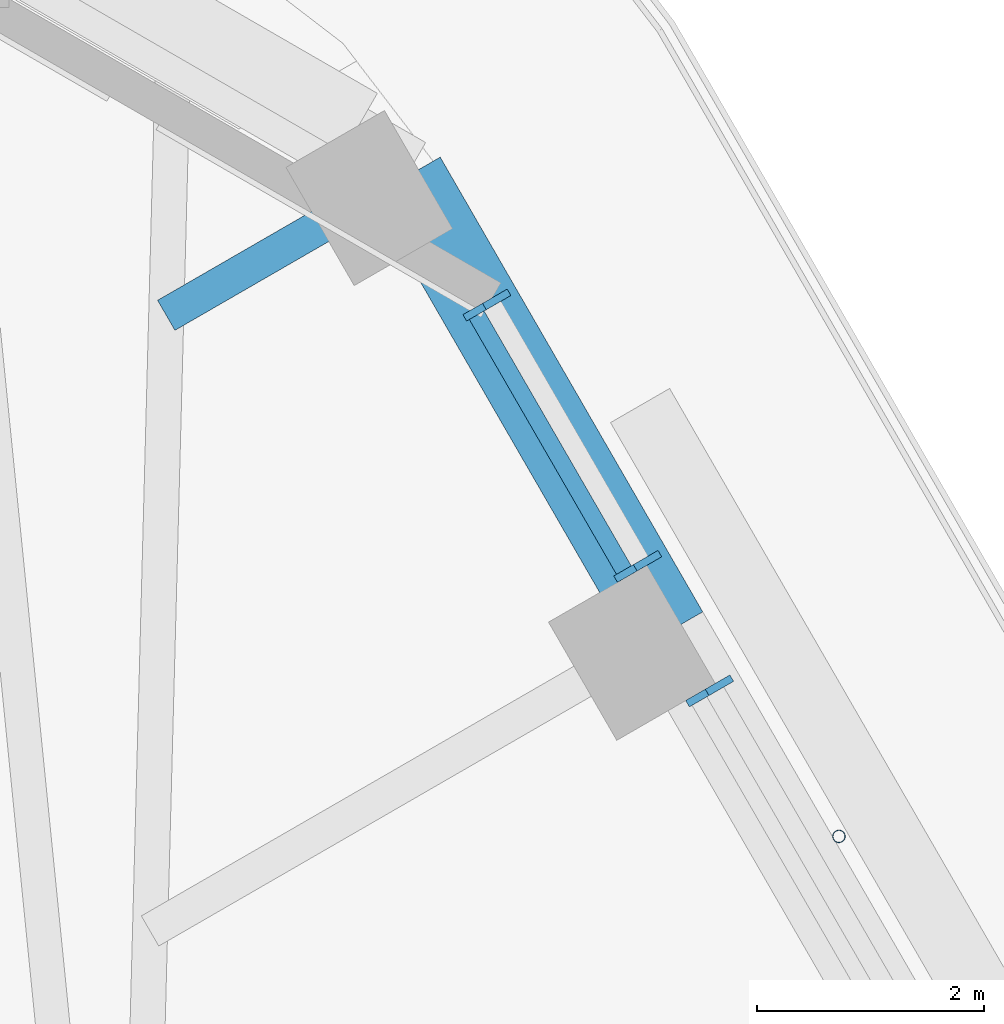
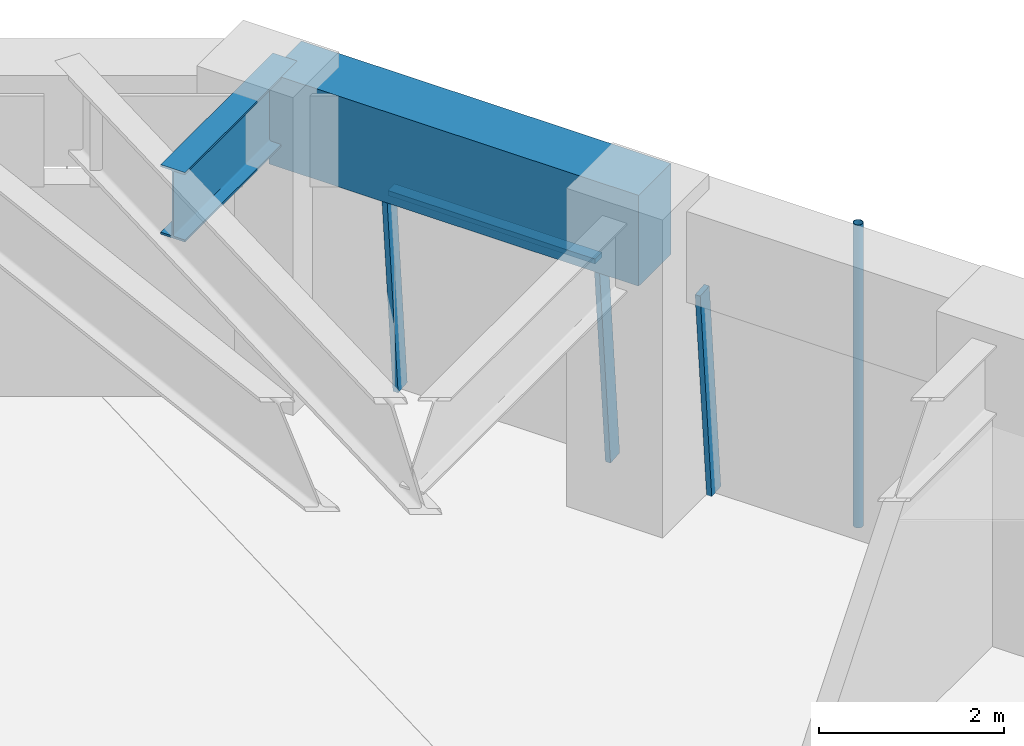
# One storey, part 12 of 20: 5 members, 2 beams, 2 elements without a shape of their own.
"""IFC4 building model written with IfcOpenShell, lengths in metres."""

from ifc_helpers import new_model, si_unit, direction, frame, origin, origin_2d, place, context, subcontext, project, spatial, rectangle, hollow_circle, i_section, extrude, material, material_profile, profile_set, type_object, element, aggregate, save


model = new_model("IFC4")

# Units and contexts
model_context = context("Model", 3, precision=1e-05, world=origin(), true_north=direction((0.0, 1.0)))
body_context = subcontext(model_context, "Body", "Model", "MODEL_VIEW")
ifc_project = project(units=[si_unit("LENGTHUNIT", "METRE"), si_unit("AREAUNIT", "SQUARE_METRE"), si_unit("VOLUMEUNIT", "CUBIC_METRE"), si_unit("PLANEANGLEUNIT", "RADIAN"), si_unit("MASSUNIT", "GRAM", prefix="KILO")], contexts=[model_context])

# Site, building, storey
site_placement = place(None, origin())
site = spatial("IfcSite", under=ifc_project, at=site_placement, CompositionType="ELEMENT")
building_placement = place(site_placement, origin())
building = spatial("IfcBuilding", under=site, at=building_placement, Name="Tarfa Lantern Tower", CompositionType="ELEMENT")
storey_placement = place(building_placement, frame((0.0, 0.0, 257.5)))
storey = spatial("IfcBuildingStorey", under=building, at=storey_placement, Name="L58", CompositionType="ELEMENT", Elevation=257.5)

# Curtain wall, member
ifc_material_1 = material(Name="Aluminium framed curtain wall", Category="aluminium")
curtain_wall_type = type_object("IfcCurtainWallType", Name="CW3 CANTED GLAZING HIGH ZONE 2800", PredefinedType="USERDEFINED", material=ifc_material_1)
curtain_wall_1_placement = place(storey_placement, origin())
curtain_wall_1 = element("IfcCurtainWall", 1, at=curtain_wall_1_placement, inside=storey, type_object=curtain_wall_type, Name="CW3 NE L58", ObjectType="CURTAIN WALL", PredefinedType="USERDEFINED")
ifc_material_2 = material(Name="Aluminium mullion", Category="aluminium")
ifc_material_profile_1 = material_profile(ifc_material_2, rectangle(XDim=0.06494140625, YDim=0.199951171875, at=origin_2d()), Name="AL MULLION 65x200")
ifc_profile_set_1 = profile_set([ifc_material_profile_1], Name="Aluminium mullion")
member_type_1 = type_object("IfcMemberType", Name="CWM1 MULLION 65x200", PredefinedType="MULLION", material=ifc_profile_set_1)
member_1_placement = place(storey_placement, frame((20.7255859375, 21.90234375, 0.0), z_axis=(-0.077032386753, -0.044465143199, 0.996036576854), x_axis=(0.499919672301, -0.866071776036, 0.0)))
member_1 = element("IfcMember", 2, at=member_1_placement, type_object=member_type_1, Name="CW3 mullion 2", PredefinedType="MULLION", context=body_context, shape_type="SweptSolid", body=[
    extrude(rectangle(XDim=0.06494140625, YDim=0.199951171875, at=origin_2d()), origin(), (0.0, 0.0, 1.0), 2.811279296875),
])
aggregate(curtain_wall_1, [member_1])

# Curtain wall, members
curtain_wall_2_placement = place(storey_placement, origin())
curtain_wall_2 = element("IfcCurtainWall", 3, at=curtain_wall_2_placement, inside=storey, type_object=curtain_wall_type, Name="CW3 NE L58", ObjectType="CURTAIN WALL", PredefinedType="USERDEFINED")
member_2_placement = place(storey_placement, frame((20.093017578125, 22.997802734375, 0.0), z_axis=(-0.077032386753, -0.044465143199, 0.996036576854), x_axis=(0.499919672301, -0.866071776036, 0.0)))
member_2 = element("IfcMember", 4, at=member_2_placement, type_object=member_type_1, Name="CW3 mullion 1", PredefinedType="MULLION", context=body_context, shape_type="SweptSolid", body=[
    extrude(rectangle(XDim=0.06494140625, YDim=0.199951171875, at=origin_2d()), origin(), (0.0, 0.0, 1.0), 2.811279296875),
])
member_3_placement = place(storey_placement, frame((18.76611328125, 25.296142578125, 0.0), z_axis=(-0.077032386753, -0.044465143199, 0.996036576854), x_axis=(0.499919672301, -0.866071776036, 0.0)))
member_3 = element("IfcMember", 5, at=member_3_placement, type_object=member_type_1, Name="CW3 mullion 2", PredefinedType="MULLION", context=body_context, shape_type="SweptSolid", body=[
    extrude(rectangle(XDim=0.06494140625, YDim=0.199951171875, at=origin_2d()), origin(), (0.0, 0.0, 1.0), 2.811279296875),
])
ifc_material_3 = material(Name="Aluminium transom", Category="aluminium")
ifc_material_profile_2 = material_profile(ifc_material_3, rectangle(XDim=0.14990234375, YDim=0.06494140625, at=origin_2d()), Name="AL TRANSOM 150x65")
ifc_profile_set_2 = profile_set([ifc_material_profile_2], Name="Aluminium transom")
member_type_2 = type_object("IfcMemberType", Name="CWT1 TRANSOM 150x65", PredefinedType="USERDEFINED", material=ifc_profile_set_2)
member_4_placement = place(storey_placement, frame((19.86279296875, 22.90234375, 2.767578125), z_axis=(-0.5000136139, 0.866017543653, 0.0), x_axis=(-0.866017543653, -0.5000136139, 0.0)))
member_4 = element("IfcMember", 6, at=member_4_placement, type_object=member_type_2, Name="CW3 transom 1.2", ObjectType="TRANSOM", PredefinedType="USERDEFINED", context=body_context, shape_type="SweptSolid", body=[
    extrude(rectangle(XDim=0.14990234375, YDim=0.06494140625, at=origin_2d()), origin(), (0.0, 0.0, 1.0), 2.5888671875),
])
aggregate(curtain_wall_2, [member_2, member_3, member_4])

# Beam
ifc_material_4 = material(Name="Concrete C80/95", Category="concrete")
ifc_material_profile_3 = material_profile(ifc_material_4, rectangle(XDim=0.699951171875, YDim=1.199951171875, at=origin_2d()), Name="RC 700x1200")
ifc_profile_set_3 = profile_set([ifc_material_profile_3], Name="Concrete C80/95")
beam_type_1 = type_object("IfcBeamType", Name="EB3 RC 700x1200", PredefinedType="SPANDREL", material=ifc_profile_set_3)
beam_1_placement = place(storey_placement, frame((20.25341796875, 22.360107421875, 3.39990234375), z_axis=(-0.499987836815, 0.866032426089, 0.0), x_axis=(-0.866032426089, -0.499987836815, 0.0)))
element("IfcBeam", 7, at=beam_1_placement, inside=storey, type_object=beam_type_1, Name="Edge beam NE5", PredefinedType="SPANDREL", context=body_context, shape_type="SweptSolid", body=[
    extrude(rectangle(XDim=0.699951171875, YDim=1.199951171875, at=origin_2d()), origin(), (0.0, 0.0, 1.0), 4.61865234375),
])

# Member
ifc_material_5 = material(Name="Steel S355", Category="steel")
ifc_material_profile_4 = material_profile(ifc_material_5, hollow_circle(Radius=0.05712890625, WallThickness=0.00634765625, at=origin_2d()), Name="CHS114.3x6.3")
ifc_profile_set_4 = profile_set([ifc_material_profile_4], Name="Steel S355")
member_type_3 = type_object("IfcMemberType", Name="TR1 GREEN WALL TRELLIS CHS114.3x6.3", PredefinedType="USERDEFINED", material=ifc_profile_set_4)
member_5_placement = place(storey_placement, frame((21.754638671875, 20.56005859375, 0.0), z_axis=(0.0, 0.0, 1.0), x_axis=(1.0, 0.0, 0.0)))
element("IfcMember", 8, at=member_5_placement, inside=storey, type_object=member_type_3, Name="Trellis post NE 2", ObjectType="TRELLIS", PredefinedType="USERDEFINED", context=body_context, shape_type="SweptSolid", body=[
    extrude(hollow_circle(Radius=0.05712890625, WallThickness=0.00634765625, at=origin_2d()), origin(), (0.0, 0.0, 1.0), 4.0),
])

# Beam
ifc_material_6 = material(Name="Steel S460M", Category="steel")
ifc_material_profile_5 = material_profile(ifc_material_6, i_section(OverallWidth=0.305419921875, OverallDepth=0.91845703125, WebThickness=0.017333984375, FlangeThickness=0.02783203125, FilletRadius=0.01904296875, at=origin_2d()), Name="UB914x305x253")
ifc_profile_set_5 = profile_set([ifc_material_profile_5], Name="Steel S460M")
beam_type_2 = type_object("IfcBeamType", Name="UB914x305x253", PredefinedType="BEAM", material=ifc_profile_set_5)
beam_2_placement = place(storey_placement, frame((17.944091796875, 26.360107421875, 3.540771484375), z_axis=(-0.865980009423, -0.5000786171, 0.0), x_axis=(0.5000786171, -0.865980009423, 0.0)))
element("IfcBeam", 9, at=beam_2_placement, inside=storey, type_object=beam_type_2, Name="Floor beam NE6", PredefinedType="BEAM", context=body_context, shape_type="SweptSolid", body=[
    extrude(i_section(OverallWidth=0.305419921875, OverallDepth=0.91845703125, WebThickness=0.017333984375, FlangeThickness=0.02783203125, FilletRadius=0.01904296875, at=origin_2d()), origin(), (0.0, 0.0, 1.0), 2.4326171875),
])

save(model, "model.ifc")
